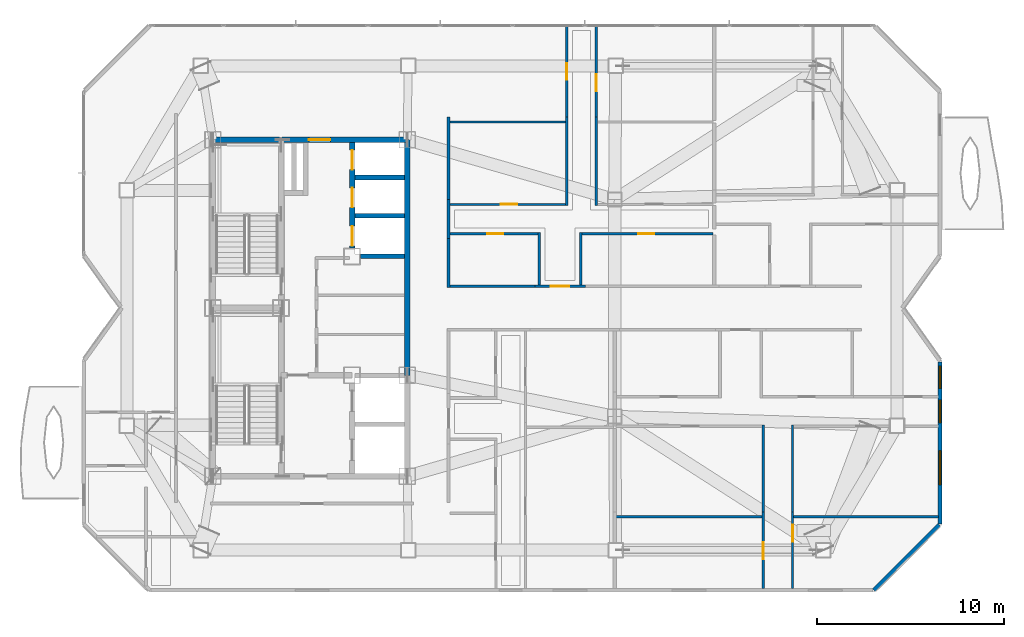
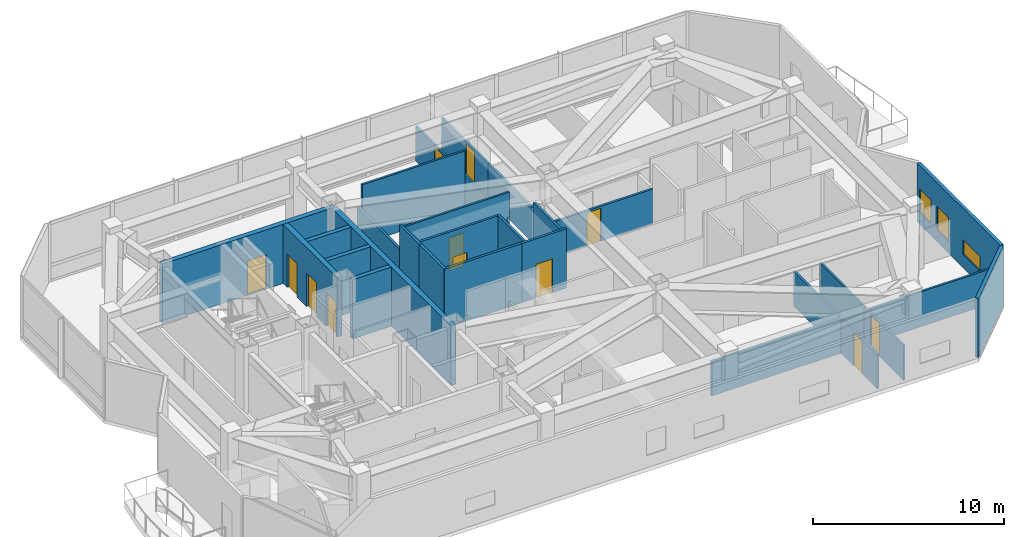
# One storey, part 11 of 16: 29 walls, 12 doors, 3 windows, 15 openings.
"""IFC4 building model written with IfcOpenShell, lengths in metres."""

from ifc_helpers import new_model, si_unit, direction, frame, frame_2d, origin, place, context, subcontext, project, spatial, rectangle, extrude, material, layer, layer_set, type_object, element, fill, save


model = new_model("IFC4")

# Units and contexts
model_context = context("Model", 3, precision=1e-05, world=origin(), true_north=direction((0.0, 1.0)))
body_context = subcontext(model_context, "Body", "Model", "MODEL_VIEW")
ifc_project = project(units=[si_unit("LENGTHUNIT", "METRE"), si_unit("AREAUNIT", "SQUARE_METRE"), si_unit("VOLUMEUNIT", "CUBIC_METRE"), si_unit("PLANEANGLEUNIT", "RADIAN"), si_unit("MASSUNIT", "GRAM", prefix="KILO")], contexts=[model_context])

# Site, building, storey
site_placement = place(None, origin())
site = spatial("IfcSite", under=ifc_project, at=site_placement, CompositionType="ELEMENT")
building_placement = place(site_placement, origin())
building = spatial("IfcBuilding", under=site, at=building_placement, Name="Khamvora Tower", CompositionType="ELEMENT")
storey_placement = place(building_placement, frame((0.0, 0.0, 273.64990234375)))
storey = spatial("IfcBuildingStorey", under=building, at=storey_placement, Name="L70", CompositionType="ELEMENT", Elevation=273.64990234375)

# Wall, opening, door
ifc_material_1 = material(Name="Concrete C50/60", Category="concrete")
ifc_layer_1 = layer(ifc_material_1, 0.300048828125)
ifc_layer_set_1 = layer_set([ifc_layer_1], Name="Concrete C50/60")
wall_type_1 = type_object("IfcWallType", Name="WAL-CORE-300", PredefinedType="SHEAR", material=ifc_layer_set_1)
wall_1_placement = place(storey_placement, frame((29.0, 37.0, 0.0), z_axis=(0.0, 0.0, 1.0), x_axis=(1.0, 0.0, 0.0)))
wall_1 = element("IfcWall", 1, at=wall_1_placement, inside=storey, type_object=wall_type_1, Name="L70 central core north wall", PredefinedType="SHEAR", context=body_context, shape_type="SweptSolid", body=[
    extrude(rectangle(XDim=10.39990234375, YDim=0.300048828125, at=frame_2d((5.199951171875, 0.0))), origin(), (0.0, 0.0, 1.0), 3.780029296875),
])
opening_1_placement = place(wall_1_placement, frame((5.139892578125, 0.0, 0.0)))
opening_1 = element("IfcOpeningElement", 2, at=opening_1_placement, cuts=wall_1, Name="Opening D-SC1", PredefinedType="OPENING", context=body_context, shape_type="SweptSolid", body=[
    extrude(rectangle(XDim=1.14990234375, YDim=2.199951171875, at=frame_2d((0.574951171875, 1.10009765625))), frame((0.0, 0.159912109375, 0.0), z_axis=(0.0, -1.0, 0.0), x_axis=(1.0, 0.0, 0.0)), (0.0, 0.0, 1.0), 0.320068359375),
])
ifc_material_2 = material(Name="Powder-Coated Steel and Hardwood Leaf", Category="steel")
door_type_1 = type_object("IfcDoorType", Name="DOR-SCHL-1150", OperationType="NOTDEFINED", PredefinedType="DOOR", material=ifc_material_2)
door_1_placement = place(opening_1_placement, origin())
door_1 = element("IfcDoor", 3, at=door_1_placement, inside=storey, type_object=door_type_1, Name="L70 north core lobby to corridor fire door", OperationType="SINGLE_SWING_RIGHT", OverallHeight=2.199951171875, OverallWidth=1.14990234375, PredefinedType="DOOR", context=body_context, shape_type="SweptSolid", body=[
    extrude(rectangle(XDim=1.14990234375, YDim=2.199951171875, at=frame_2d((0.574951171875, 1.10009765625))), frame((0.0, 0.02490234375, 0.0), z_axis=(0.0, -1.0, 0.0), x_axis=(1.0, 0.0, 0.0)), (0.0, 0.0, 1.0), 0.050048828125),
])
fill(opening_1, door_1)

# Wall
wall_2_placement = place(storey_placement, frame((39.39990234375, 24.39990234375, 0.0), z_axis=(0.0, 0.0, 1.0), x_axis=(0.0, 1.0, 0.0)))
element("IfcWall", 4, at=wall_2_placement, inside=storey, type_object=wall_type_1, Name="L70 central core east north wall", PredefinedType="SHEAR", context=body_context, shape_type="SweptSolid", body=[
    extrude(rectangle(XDim=12.60009765625, YDim=0.300048828125, at=frame_2d((6.300048828125, 0.0))), origin(), (0.0, 0.0, 1.0), 3.780029296875),
])

# Wall, openings, doors
wall_3_placement = place(storey_placement, frame((36.449951171875, 31.199951171875, 0.0), z_axis=(0.0, 0.0, 1.0), x_axis=(0.0, 1.0, 0.0)))
wall_3 = element("IfcWall", 5, at=wall_3_placement, inside=storey, type_object=wall_type_1, Name="L70 central core lift bank central wall", PredefinedType="SHEAR", context=body_context, shape_type="SweptSolid", body=[
    extrude(rectangle(XDim=5.64599609375, YDim=0.300048828125, at=frame_2d((2.822998046875, 0.0))), origin(), (0.0, 0.0, 1.0), 3.780029296875),
])
opening_2_placement = place(wall_3_placement, frame((0.125, 0.0, 0.0)))
opening_2 = element("IfcOpeningElement", 6, at=opening_2_placement, cuts=wall_3, Name="Opening LD-PL", PredefinedType="OPENING", context=body_context, shape_type="SweptSolid", body=[
    extrude(rectangle(XDim=1.050048828125, YDim=2.14990234375, at=frame_2d((0.52490234375, 1.074951171875))), frame((0.0, 0.159912109375, 0.0), z_axis=(0.0, -1.0, 0.0), x_axis=(1.0, 0.0, 0.0)), (0.0, 0.0, 1.0), 0.320068359375),
])
opening_3_placement = place(wall_3_placement, frame((2.175048828125, 0.0, 0.0)))
opening_3 = element("IfcOpeningElement", 7, at=opening_3_placement, cuts=wall_3, Name="Opening LD-PL", PredefinedType="OPENING", context=body_context, shape_type="SweptSolid", body=[
    extrude(rectangle(XDim=1.050048828125, YDim=2.14990234375, at=frame_2d((0.52490234375, 1.074951171875))), frame((0.0, 0.159912109375, 0.0), z_axis=(0.0, -1.0, 0.0), x_axis=(1.0, 0.0, 0.0)), (0.0, 0.0, 1.0), 0.320068359375),
])
opening_4_placement = place(wall_3_placement, frame((4.195068359375, 0.0, 0.0)))
opening_4 = element("IfcOpeningElement", 8, at=opening_4_placement, cuts=wall_3, Name="Opening LD-PL", PredefinedType="OPENING", context=body_context, shape_type="SweptSolid", body=[
    extrude(rectangle(XDim=1.050048828125, YDim=2.14990234375, at=frame_2d((0.52490234375, 1.074951171875))), frame((0.0, 0.159912109375, 0.0), z_axis=(0.0, -1.0, 0.0), x_axis=(1.0, 0.0, 0.0)), (0.0, 0.0, 1.0), 0.320068359375),
])
door_type_2 = type_object("IfcDoorType", Name="DOR-LIFT-1050", OperationType="SLIDING_TO_LEFT", PredefinedType="DOOR", material=ifc_material_2)
door_2_placement = place(opening_2_placement, origin())
door_2 = element("IfcDoor", 9, at=door_2_placement, inside=storey, type_object=door_type_2, Name="L70 lift landing sliding door PH-01", OperationType="SLIDING_TO_LEFT", OverallHeight=2.14990234375, OverallWidth=1.050048828125, PredefinedType="DOOR", context=body_context, shape_type="SweptSolid", body=[
    extrude(rectangle(XDim=1.050048828125, YDim=2.14990234375, at=frame_2d((0.52490234375, 1.074951171875))), frame((0.0, 0.02490234375, 0.0), z_axis=(0.0, -1.0, 0.0), x_axis=(1.0, 0.0, 0.0)), (0.0, 0.0, 1.0), 0.050048828125),
])
fill(opening_2, door_2)
door_3_placement = place(opening_3_placement, origin())
door_3 = element("IfcDoor", 10, at=door_3_placement, inside=storey, type_object=door_type_2, Name="L70 lift landing sliding door PH-02", OperationType="SLIDING_TO_LEFT", OverallHeight=2.14990234375, OverallWidth=1.050048828125, PredefinedType="DOOR", context=body_context, shape_type="SweptSolid", body=[
    extrude(rectangle(XDim=1.050048828125, YDim=2.14990234375, at=frame_2d((0.52490234375, 1.074951171875))), frame((0.0, 0.02490234375, 0.0), z_axis=(0.0, -1.0, 0.0), x_axis=(1.0, 0.0, 0.0)), (0.0, 0.0, 1.0), 0.050048828125),
])
fill(opening_3, door_3)
door_4_placement = place(opening_4_placement, origin())
door_4 = element("IfcDoor", 11, at=door_4_placement, inside=storey, type_object=door_type_2, Name="L70 lift landing sliding door PH-03", OperationType="SLIDING_TO_LEFT", OverallHeight=2.14990234375, OverallWidth=1.050048828125, PredefinedType="DOOR", context=body_context, shape_type="SweptSolid", body=[
    extrude(rectangle(XDim=1.050048828125, YDim=2.14990234375, at=frame_2d((0.52490234375, 1.074951171875))), frame((0.0, 0.02490234375, 0.0), z_axis=(0.0, -1.0, 0.0), x_axis=(1.0, 0.0, 0.0)), (0.0, 0.0, 1.0), 0.050048828125),
])
fill(opening_4, door_4)

# Wall, opening, door
ifc_material_3 = material(Name="Fire-Rated Drywall and Steel Stud", Category="steel")
ifc_layer_2 = layer(ifc_material_3, 0.14990234375)
ifc_layer_set_2 = layer_set([ifc_layer_2], Name="Fire-Rated Drywall and Steel Stud")
wall_type_2 = type_object("IfcWallType", Name="WAL-CORR-150", PredefinedType="STANDARD", material=ifc_layer_set_2)
wall_4_placement = place(storey_placement, frame((46.22509765625, 29.1650390625, 0.0), z_axis=(0.0, 0.0, 1.0), x_axis=(1.0, 0.0, 0.0)))
wall_4 = element("IfcWall", 12, at=wall_4_placement, inside=storey, type_object=wall_type_2, Name="L70 interior partition wall 020", PredefinedType="STANDARD", context=body_context, shape_type="SweptSolid", body=[
    extrude(rectangle(XDim=2.697998046875, YDim=0.14990234375, at=frame_2d((1.34912109375, 0.0))), origin(), (0.0, 0.0, 1.0), 3.780029296875),
])
opening_5_placement = place(wall_4_placement, frame((0.84912109375, 0.0, 0.0)))
opening_5 = element("IfcOpeningElement", 13, at=opening_5_placement, cuts=wall_4, Name="Opening D-U1", PredefinedType="OPENING", context=body_context, shape_type="SweptSolid", body=[
    extrude(rectangle(XDim=1.0, YDim=2.14990234375, at=frame_2d((0.5, 1.074951171875))), frame((0.0, 0.0849609375, 0.0), z_axis=(0.0, -1.0, 0.0), x_axis=(1.0, 0.0, 0.0)), (0.0, 0.0, 1.0), 0.169921875),
])
door_type_3 = type_object("IfcDoorType", Name="DOR-UNIT-1000", OperationType="NOTDEFINED", PredefinedType="DOOR", material=ifc_material_2)
door_5_placement = place(opening_5_placement, origin())
door_5 = element("IfcDoor", 14, at=door_5_placement, inside=storey, type_object=door_type_3, Name="L70 interior door COR-70E1H", OperationType="SINGLE_SWING_LEFT", OverallHeight=2.14990234375, OverallWidth=1.0, PredefinedType="DOOR", context=body_context, shape_type="SweptSolid", body=[
    extrude(rectangle(XDim=1.0, YDim=2.14990234375, at=frame_2d((0.5, 1.074951171875))), frame((0.0, 0.02490234375, 0.0), z_axis=(0.0, -1.0, 0.0), x_axis=(1.0, 0.0, 0.0)), (0.0, 0.0, 1.0), 0.050048828125),
])
fill(opening_5, door_5)

# Walls
wall_5_placement = place(storey_placement, frame((41.614990234375, 33.7890625, 0.0), z_axis=(0.0, 0.0, 1.0), x_axis=(0.0, -1.0, 0.0)))
element("IfcWall", 15, at=wall_5_placement, inside=storey, type_object=wall_type_2, Name="L70 interior partition wall 021", PredefinedType="STANDARD", context=body_context, shape_type="SweptSolid", body=[
    extrude(rectangle(XDim=2.078125, YDim=0.14990234375, at=frame_2d((1.0390625, 0.0))), origin(), (0.0, 0.0, 1.0), 3.780029296875),
])
wall_6_placement = place(storey_placement, frame((41.550048828125, 29.1650390625, 0.0), z_axis=(0.0, 0.0, 1.0), x_axis=(1.0, 0.0, 0.0)))
element("IfcWall", 16, at=wall_6_placement, inside=storey, type_object=wall_type_2, Name="L70 interior partition wall 022", PredefinedType="STANDARD", context=body_context, shape_type="SweptSolid", body=[
    extrude(rectangle(XDim=4.675048828125, YDim=0.14990234375, at=frame_2d((2.33740234375, 0.0))), origin(), (0.0, 0.0, 1.0), 3.780029296875),
])
wall_7_placement = place(storey_placement, frame((41.614990234375, 31.7109375, 0.0), z_axis=(0.0, 0.0, 1.0), x_axis=(0.0, -1.0, 0.0)))
element("IfcWall", 17, at=wall_7_placement, inside=storey, type_object=wall_type_2, Name="L70 interior partition wall 023", PredefinedType="STANDARD", context=body_context, shape_type="SweptSolid", body=[
    extrude(rectangle(XDim=2.60888671875, YDim=0.14990234375, at=frame_2d((1.304443359375, 0.0))), origin(), (0.0, 0.0, 1.0), 3.780029296875),
])
wall_8_placement = place(storey_placement, frame((41.614990234375, 38.2041015625, 0.0), z_axis=(0.0, 0.0, 1.0), x_axis=(0.0, -1.0, 0.0)))
element("IfcWall", 18, at=wall_8_placement, inside=storey, type_object=wall_type_2, Name="L70 interior partition wall 025", PredefinedType="STANDARD", context=body_context, shape_type="SweptSolid", body=[
    extrude(rectangle(XDim=4.4150390625, YDim=0.14990234375, at=frame_2d((2.20751953125, 0.0))), origin(), (0.0, 0.0, 1.0), 2.22021484375),
])

# Wall, openings, windows
ifc_material_4 = material(Name="Precast concrete C40/50", Category="concrete")
ifc_layer_3 = layer(ifc_material_4, 0.199951171875)
ifc_layer_set_3 = layer_set([ifc_layer_3], Name="Precast concrete C40/50")
wall_type_3 = type_object("IfcWallType", Name="WAL-EXT-200", PredefinedType="STANDARD", material=ifc_layer_set_3)
wall_9_placement = place(storey_placement, frame((67.89990234375, 25.117919921875, 0.0), z_axis=(0.0, 0.0, 1.0), x_axis=(0.0, -1.0, 0.0)))
wall_9 = element("IfcWall", 19, at=wall_9_placement, inside=storey, type_object=wall_type_3, Name="L70 exterior facade wall 12.1", PredefinedType="STANDARD", context=body_context, shape_type="SweptSolid", body=[
    extrude(rectangle(XDim=8.677001953125, YDim=0.199951171875, at=frame_2d((4.33837890625, 0.0))), origin(), (0.0, 0.0, 1.0), 3.780029296875),
])
opening_6_placement = place(wall_9_placement, frame((0.22412109375, 0.0, 0.780029296875)))
opening_6 = element("IfcOpeningElement", 20, at=opening_6_placement, cuts=wall_9, Name="Opening WN-03", PredefinedType="OPENING", context=body_context, shape_type="SweptSolid", body=[
    extrude(rectangle(XDim=1.199951171875, YDim=1.5, at=frame_2d((0.60009765625, 0.75))), frame((0.0, 0.10986328125, 0.0), z_axis=(0.0, -1.0, 0.0), x_axis=(1.0, 0.0, 0.0)), (0.0, 0.0, 1.0), 0.219970703125),
])
opening_7_placement = place(wall_9_placement, frame((2.052978515625, 0.0, 0.780029296875)))
opening_7 = element("IfcOpeningElement", 21, at=opening_7_placement, cuts=wall_9, Name="Opening WN-03", PredefinedType="OPENING", context=body_context, shape_type="SweptSolid", body=[
    extrude(rectangle(XDim=1.199951171875, YDim=1.5, at=frame_2d((0.60009765625, 0.75))), frame((0.0, 0.10986328125, 0.0), z_axis=(0.0, -1.0, 0.0), x_axis=(1.0, 0.0, 0.0)), (0.0, 0.0, 1.0), 0.219970703125),
])
opening_8_placement = place(wall_9_placement, frame((4.76806640625, 0.0, 0.85009765625)))
opening_8 = element("IfcOpeningElement", 22, at=opening_8_placement, cuts=wall_9, Name="Opening WN-09", PredefinedType="OPENING", context=body_context, shape_type="SweptSolid", body=[
    extrude(rectangle(XDim=1.800048828125, YDim=0.919921875, at=frame_2d((0.89990234375, 0.4599609375))), frame((0.0, 0.10986328125, 0.0), z_axis=(0.0, -1.0, 0.0), x_axis=(1.0, 0.0, 0.0)), (0.0, 0.0, 1.0), 0.219970703125),
])
ifc_material_5 = material(Name="Low-E Laminated Double Glazing", Category="glass")
window_type_1 = type_object("IfcWindowType", Name="WIN-CLR-1800x920", PartitioningType="SINGLE_PANEL", PredefinedType="WINDOW", material=ifc_material_5)
window_1_placement = place(opening_8_placement, origin())
window_1 = element("IfcWindow", 23, at=window_1_placement, inside=storey, type_object=window_type_1, Name="L70 vision window 12.1.03", OverallHeight=0.919921875, OverallWidth=1.800048828125, PartitioningType="SINGLE_PANEL", PredefinedType="WINDOW", context=body_context, shape_type="SweptSolid", body=[
    extrude(rectangle(XDim=1.800048828125, YDim=0.919921875, at=frame_2d((0.89990234375, 0.4599609375))), frame((0.0, 0.030029296875, 0.0), z_axis=(0.0, -1.0, 0.0), x_axis=(1.0, 0.0, 0.0)), (0.0, 0.0, 1.0), 0.06005859375),
])
fill(opening_8, window_1)
window_type_2 = type_object("IfcWindowType", Name="WIN-VIS-1200x1500", PartitioningType="SINGLE_PANEL", PredefinedType="WINDOW", material=ifc_material_5)
window_2_placement = place(opening_6_placement, origin())
window_2 = element("IfcWindow", 24, at=window_2_placement, inside=storey, type_object=window_type_2, Name="L70 vision window 12.1.01", OverallHeight=1.5, OverallWidth=1.199951171875, PartitioningType="SINGLE_PANEL", PredefinedType="WINDOW", context=body_context, shape_type="SweptSolid", body=[
    extrude(rectangle(XDim=1.199951171875, YDim=1.5, at=frame_2d((0.60009765625, 0.75))), frame((0.0, 0.030029296875, 0.0), z_axis=(0.0, -1.0, 0.0), x_axis=(1.0, 0.0, 0.0)), (0.0, 0.0, 1.0), 0.06005859375),
])
fill(opening_6, window_2)
window_3_placement = place(opening_7_placement, origin())
window_3 = element("IfcWindow", 25, at=window_3_placement, inside=storey, type_object=window_type_2, Name="L70 vision window 12.1.02", OverallHeight=1.5, OverallWidth=1.199951171875, PartitioningType="SINGLE_PANEL", PredefinedType="WINDOW", context=body_context, shape_type="SweptSolid", body=[
    extrude(rectangle(XDim=1.199951171875, YDim=1.5, at=frame_2d((0.60009765625, 0.75))), frame((0.0, 0.030029296875, 0.0), z_axis=(0.0, -1.0, 0.0), x_axis=(1.0, 0.0, 0.0)), (0.0, 0.0, 1.0), 0.06005859375),
])
fill(opening_7, window_3)

# Wall
wall_10_placement = place(storey_placement, frame((67.85498046875, 16.39599609375, 0.0), z_axis=(0.0, 0.0, 1.0), x_axis=(-0.707106781187, -0.707106781187, 0.0)))
element("IfcWall", 26, at=wall_10_placement, inside=storey, type_object=wall_type_3, Name="L70 exterior facade wall 13.1", PredefinedType="STANDARD", context=body_context, shape_type="SweptSolid", body=[
    extrude(rectangle(XDim=4.9443359375, YDim=0.199951171875, at=frame_2d((2.47216796875, 0.0))), origin(), (0.0, 0.0, 1.0), 3.780029296875),
])

# Wall, opening, door
ifc_material_6 = material(Name="Gypsum Plasterboard Partition", Category="gypsum")
ifc_layer_4 = layer(ifc_material_6, 0.1201171875)
ifc_layer_set_4 = layer_set([ifc_layer_4], Name="Gypsum Plasterboard Partition")
wall_type_4 = type_object("IfcWallType", Name="WAL-PART-120", PredefinedType="PARTITIONING", material=ifc_layer_set_4)
wall_11_placement = place(storey_placement, frame((58.445068359375, 12.991943359375, 0.0), z_axis=(0.0, 0.0, 1.0), x_axis=(0.0, 1.0, 0.0)))
wall_11 = element("IfcWall", 27, at=wall_11_placement, inside=storey, type_object=wall_type_4, Name="L70 interior partition wall 054", PredefinedType="PARTITIONING", context=body_context, shape_type="SweptSolid", body=[
    extrude(rectangle(XDim=4.0859375, YDim=0.1201171875, at=frame_2d((2.04296875, 0.0))), origin(), (0.0, 0.0, 1.0), 2.22021484375),
])
opening_9_placement = place(wall_11_placement, frame((1.572021484375, 0.0, 0.0)))
opening_9 = element("IfcOpeningElement", 28, at=opening_9_placement, cuts=wall_11, Name="Opening D-RM1", PredefinedType="OPENING", context=body_context, shape_type="SweptSolid", body=[
    extrude(rectangle(XDim=0.89990234375, YDim=2.10009765625, at=frame_2d((0.449951171875, 1.050048828125))), frame((0.0, 0.070068359375, 0.0), z_axis=(0.0, -1.0, 0.0), x_axis=(1.0, 0.0, 0.0)), (0.0, 0.0, 1.0), 0.14013671875),
])
door_type_4 = type_object("IfcDoorType", Name="DOR-ROOM-900", OperationType="NOTDEFINED", PredefinedType="DOOR", material=ifc_material_2)
door_6_placement = place(opening_9_placement, origin())
door_6 = element("IfcDoor", 29, at=door_6_placement, inside=storey, type_object=door_type_4, Name="L70 interior door 70DH-70DL", OperationType="SINGLE_SWING_RIGHT", OverallHeight=2.10009765625, OverallWidth=0.89990234375, PredefinedType="DOOR", context=body_context, shape_type="SweptSolid", body=[
    extrude(rectangle(XDim=0.89990234375, YDim=2.10009765625, at=frame_2d((0.449951171875, 1.050048828125))), frame((0.0, 0.02490234375, 0.0), z_axis=(0.0, -1.0, 0.0), x_axis=(1.0, 0.0, 0.0)), (0.0, 0.0, 1.0), 0.050048828125),
])
fill(opening_9, door_6)

# Wall
wall_12_placement = place(storey_placement, frame((58.445068359375, 17.077880859375, 0.0), z_axis=(0.0, 0.0, 1.0), x_axis=(0.0, 1.0, 0.0)))
element("IfcWall", 30, at=wall_12_placement, inside=storey, type_object=wall_type_4, Name="L70 interior partition wall 055", PredefinedType="PARTITIONING", context=body_context, shape_type="SweptSolid", body=[
    extrude(rectangle(XDim=4.662109375, YDim=0.1201171875, at=frame_2d((2.3310546875, 0.0))), origin(), (0.0, 0.0, 1.0), 2.22021484375),
])

# Wall, opening, door
wall_13_placement = place(storey_placement, frame((60.014892578125, 17.077880859375, 0.0), z_axis=(0.0, 0.0, 1.0), x_axis=(0.0, -1.0, 0.0)))
wall_13 = element("IfcWall", 31, at=wall_13_placement, inside=storey, type_object=wall_type_4, Name="L70 interior partition wall 057", PredefinedType="PARTITIONING", context=body_context, shape_type="SweptSolid", body=[
    extrude(rectangle(XDim=4.0859375, YDim=0.1201171875, at=frame_2d((2.04296875, 0.0))), origin(), (0.0, 0.0, 1.0), 2.22021484375),
])
opening_10_placement = place(wall_13_placement, frame((0.68701171875, 0.0, 0.0)))
opening_10 = element("IfcOpeningElement", 32, at=opening_10_placement, cuts=wall_13, Name="Opening D-RM1", PredefinedType="OPENING", context=body_context, shape_type="SweptSolid", body=[
    extrude(rectangle(XDim=0.89990234375, YDim=2.10009765625, at=frame_2d((0.449951171875, 1.050048828125))), frame((0.0, 0.070068359375, 0.0), z_axis=(0.0, -1.0, 0.0), x_axis=(1.0, 0.0, 0.0)), (0.0, 0.0, 1.0), 0.14013671875),
])
door_7_placement = place(opening_10_placement, origin())
door_7 = element("IfcDoor", 33, at=door_7_placement, inside=storey, type_object=door_type_4, Name="L70 interior door 70DH-70DR3", OperationType="SINGLE_SWING_LEFT", OverallHeight=2.10009765625, OverallWidth=0.89990234375, PredefinedType="DOOR", context=body_context, shape_type="SweptSolid", body=[
    extrude(rectangle(XDim=0.89990234375, YDim=2.10009765625, at=frame_2d((0.449951171875, 1.050048828125))), frame((0.0, 0.02490234375, 0.0), z_axis=(0.0, -1.0, 0.0), x_axis=(1.0, 0.0, 0.0)), (0.0, 0.0, 1.0), 0.050048828125),
])
fill(opening_10, door_7)

# Walls
wall_14_placement = place(storey_placement, frame((60.014892578125, 21.739990234375, 0.0), z_axis=(0.0, 0.0, 1.0), x_axis=(0.0, -1.0, 0.0)))
element("IfcWall", 34, at=wall_14_placement, inside=storey, type_object=wall_type_4, Name="L70 interior partition wall 059", PredefinedType="PARTITIONING", context=body_context, shape_type="SweptSolid", body=[
    extrude(rectangle(XDim=4.662109375, YDim=0.1201171875, at=frame_2d((2.3310546875, 0.0))), origin(), (0.0, 0.0, 1.0), 2.22021484375),
])
wall_15_placement = place(storey_placement, frame((50.576904296875, 16.8291015625, 0.0), z_axis=(0.0, 0.0, 1.0), x_axis=(1.0, 0.0, 0.0)))
element("IfcWall", 35, at=wall_15_placement, inside=storey, type_object=wall_type_4, Name="L70 interior partition wall 060", PredefinedType="PARTITIONING", context=body_context, shape_type="SweptSolid", body=[
    extrude(rectangle(XDim=7.814208984375, YDim=0.1201171875, at=frame_2d((3.9072265625, 0.0))), origin(), (0.0, 0.0, 1.0), 2.22021484375),
])
wall_16_placement = place(storey_placement, frame((60.069091796875, 16.8291015625, 0.0), z_axis=(0.0, 0.0, 1.0), x_axis=(1.0, 0.0, 0.0)))
element("IfcWall", 36, at=wall_16_placement, inside=storey, type_object=wall_type_4, Name="L70 interior partition wall 061", PredefinedType="PARTITIONING", context=body_context, shape_type="SweptSolid", body=[
    extrude(rectangle(XDim=7.739013671875, YDim=0.1201171875, at=frame_2d((3.86962890625, 0.0))), origin(), (0.0, 0.0, 1.0), 2.22021484375),
])
wall_17_placement = place(storey_placement, frame((47.93896484375, 33.47509765625, 0.0), z_axis=(0.0, 0.0, 1.0), x_axis=(0.0, 1.0, 0.0)))
element("IfcWall", 37, at=wall_17_placement, inside=storey, type_object=wall_type_4, Name="L70 interior partition wall 066", PredefinedType="PARTITIONING", context=body_context, shape_type="SweptSolid", body=[
    extrude(rectangle(XDim=4.72900390625, YDim=0.1201171875, at=frame_2d((2.364501953125, 0.0))), origin(), (0.0, 0.0, 1.0), 2.22021484375),
])

# Wall, opening, door
wall_18_placement = place(storey_placement, frame((41.681884765625, 33.5400390625, 0.0), z_axis=(0.0, 0.0, 1.0), x_axis=(1.0, 0.0, 0.0)))
wall_18 = element("IfcWall", 38, at=wall_18_placement, inside=storey, type_object=wall_type_4, Name="L70 interior partition wall 067", PredefinedType="PARTITIONING", context=body_context, shape_type="SweptSolid", body=[
    extrude(rectangle(XDim=6.322021484375, YDim=0.1201171875, at=frame_2d((3.1611328125, 0.0))), origin(), (0.0, 0.0, 1.0), 3.780029296875),
])
opening_11_placement = place(wall_18_placement, frame((2.7109375, 0.0, 0.0)))
opening_11 = element("IfcOpeningElement", 39, at=opening_11_placement, cuts=wall_18, Name="Opening D-RM1", PredefinedType="OPENING", context=body_context, shape_type="SweptSolid", body=[
    extrude(rectangle(XDim=0.89990234375, YDim=2.10009765625, at=frame_2d((0.449951171875, 1.050048828125))), frame((0.0, 0.070068359375, 0.0), z_axis=(0.0, -1.0, 0.0), x_axis=(1.0, 0.0, 0.0)), (0.0, 0.0, 1.0), 0.14013671875),
])
door_8_placement = place(opening_11_placement, origin())
door_8 = element("IfcDoor", 40, at=door_8_placement, inside=storey, type_object=door_type_4, Name="L70 interior door 70E1H-70E1L", OperationType="SINGLE_SWING_LEFT", OverallHeight=2.10009765625, OverallWidth=0.89990234375, PredefinedType="DOOR", context=body_context, shape_type="SweptSolid", body=[
    extrude(rectangle(XDim=0.89990234375, YDim=2.10009765625, at=frame_2d((0.449951171875, 1.050048828125))), frame((0.0, 0.02490234375, 0.0), z_axis=(0.0, -1.0, 0.0), x_axis=(1.0, 0.0, 0.0)), (0.0, 0.0, 1.0), 0.050048828125),
])
fill(opening_11, door_8)

wall_19_placement = place(storey_placement, frame((47.93896484375, 38.2041015625, 0.0), z_axis=(0.0, 0.0, 1.0), x_axis=(0.0, 1.0, 0.0)))
wall_19 = element("IfcWall", 41, at=wall_19_placement, inside=storey, type_object=wall_type_4, Name="L70 interior partition wall 068", PredefinedType="PARTITIONING", context=body_context, shape_type="SweptSolid", body=[
    extrude(rectangle(XDim=4.885986328125, YDim=0.1201171875, at=frame_2d((2.44287109375, 0.0))), origin(), (0.0, 0.0, 1.0), 2.22021484375),
])
opening_12_placement = place(wall_19_placement, frame((1.992919921875, 0.0, 0.0)))
opening_12 = element("IfcOpeningElement", 42, at=opening_12_placement, cuts=wall_19, Name="Opening D-RM1", PredefinedType="OPENING", context=body_context, shape_type="SweptSolid", body=[
    extrude(rectangle(XDim=0.89990234375, YDim=2.10009765625, at=frame_2d((0.449951171875, 1.050048828125))), frame((0.0, 0.070068359375, 0.0), z_axis=(0.0, -1.0, 0.0), x_axis=(1.0, 0.0, 0.0)), (0.0, 0.0, 1.0), 0.14013671875),
])
door_9_placement = place(opening_12_placement, origin())
door_9 = element("IfcDoor", 43, at=door_9_placement, inside=storey, type_object=door_type_4, Name="L70 interior door 70E1H-70E1R2", OperationType="SINGLE_SWING_RIGHT", OverallHeight=2.10009765625, OverallWidth=0.89990234375, PredefinedType="DOOR", context=body_context, shape_type="SweptSolid", body=[
    extrude(rectangle(XDim=0.89990234375, YDim=2.10009765625, at=frame_2d((0.449951171875, 1.050048828125))), frame((0.0, 0.02490234375, 0.0), z_axis=(0.0, -1.0, 0.0), x_axis=(1.0, 0.0, 0.0)), (0.0, 0.0, 1.0), 0.050048828125),
])
fill(opening_12, door_9)

# Wall
wall_20_placement = place(storey_placement, frame((49.509033203125, 38.2041015625, 0.0), z_axis=(0.0, 0.0, 1.0), x_axis=(0.0, -1.0, 0.0)))
element("IfcWall", 44, at=wall_20_placement, inside=storey, type_object=wall_type_4, Name="L70 interior partition wall 069", PredefinedType="PARTITIONING", context=body_context, shape_type="SweptSolid", body=[
    extrude(rectangle(XDim=4.72900390625, YDim=0.1201171875, at=frame_2d((2.364501953125, 0.0))), origin(), (0.0, 0.0, 1.0), 2.22021484375),
])

# Wall, opening, door
wall_21_placement = place(storey_placement, frame((49.509033203125, 43.090087890625, 0.0), z_axis=(0.0, 0.0, 1.0), x_axis=(0.0, -1.0, 0.0)))
wall_21 = element("IfcWall", 45, at=wall_21_placement, inside=storey, type_object=wall_type_4, Name="L70 interior partition wall 071", PredefinedType="PARTITIONING", context=body_context, shape_type="SweptSolid", body=[
    extrude(rectangle(XDim=4.885986328125, YDim=0.1201171875, at=frame_2d((2.44287109375, 0.0))), origin(), (0.0, 0.0, 1.0), 2.22021484375),
])
opening_13_placement = place(wall_21_placement, frame((2.5859375, 0.0, 0.0)))
opening_13 = element("IfcOpeningElement", 46, at=opening_13_placement, cuts=wall_21, Name="Opening D-RM1", PredefinedType="OPENING", context=body_context, shape_type="SweptSolid", body=[
    extrude(rectangle(XDim=0.89990234375, YDim=2.10009765625, at=frame_2d((0.449951171875, 1.050048828125))), frame((0.0, 0.070068359375, 0.0), z_axis=(0.0, -1.0, 0.0), x_axis=(1.0, 0.0, 0.0)), (0.0, 0.0, 1.0), 0.14013671875),
])
door_10_placement = place(opening_13_placement, origin())
door_10 = element("IfcDoor", 47, at=door_10_placement, inside=storey, type_object=door_type_4, Name="L70 interior door 70E1H-70E1R4", OperationType="SINGLE_SWING_RIGHT", OverallHeight=2.10009765625, OverallWidth=0.89990234375, PredefinedType="DOOR", context=body_context, shape_type="SweptSolid", body=[
    extrude(rectangle(XDim=0.89990234375, YDim=2.10009765625, at=frame_2d((0.449951171875, 1.050048828125))), frame((0.0, 0.02490234375, 0.0), z_axis=(0.0, -1.0, 0.0), x_axis=(1.0, 0.0, 0.0)), (0.0, 0.0, 1.0), 0.050048828125),
])
fill(opening_13, door_10)

# Walls
wall_22_placement = place(storey_placement, frame((41.681884765625, 37.955078125, 0.0), z_axis=(0.0, 0.0, 1.0), x_axis=(1.0, 0.0, 0.0)))
element("IfcWall", 48, at=wall_22_placement, inside=storey, type_object=wall_type_4, Name="L70 interior partition wall 074", PredefinedType="PARTITIONING", context=body_context, shape_type="SweptSolid", body=[
    extrude(rectangle(XDim=6.203125, YDim=0.1201171875, at=frame_2d((3.1015625, 0.0))), origin(), (0.0, 0.0, 1.0), 3.780029296875),
])
ifc_material_7 = material(Name="Concrete C40/50", Category="concrete")
ifc_layer_5 = layer(ifc_material_7, 0.25)
ifc_layer_set_5 = layer_set([ifc_layer_5], Name="Concrete C40/50")
wall_type_5 = type_object("IfcWallType", Name="WAL-PODS-250", PredefinedType="SHEAR", material=ifc_layer_set_5)
wall_23_placement = place(storey_placement, frame((36.904052734375, 30.77490234375, 0.0), z_axis=(0.0, 0.0, 1.0), x_axis=(1.0, 0.0, 0.0)))
element("IfcWall", 49, at=wall_23_placement, inside=storey, type_object=wall_type_5, Name="L70 high-rise lift shaft south enclosure wall PH-01", PredefinedType="SHEAR", context=body_context, shape_type="SweptSolid", body=[
    extrude(rectangle(XDim=2.342041015625, YDim=0.25, at=frame_2d((1.1708984375, 0.0))), origin(), (0.0, 0.0, 1.0), 3.780029296875),
])
for number, where, z_axis, x_axis, name in (
    (50, (36.60400390625, 32.925048828125, 0.0), (0.0, 0.0, 1.0), (1.0, 0.0, 0.0), "L70 lift shaft divider wall PH-01"),
    (51, (36.60400390625, 34.97509765625, 0.0), (0.0, 0.0, 1.0), (1.0, 0.0, 0.0), "L70 lift shaft divider wall PH-02"),
):
    element("IfcWall", number, at=place(storey_placement, frame(where, z_axis=z_axis, x_axis=x_axis)), inside=storey, type_object=wall_type_5, Name=name, PredefinedType="SHEAR", context=body_context, shape_type="SweptSolid", body=[
        extrude(rectangle(XDim=2.64208984375, YDim=0.25, at=frame_2d((1.321044921875, 0.0))), origin(), (0.0, 0.0, 1.0), 3.780029296875),
    ])
ifc_material_8 = material(Name="Moisture-Resistant Plasterboard Partition", Category="gypsum")
ifc_layer_6 = layer(ifc_material_8, 0.135009765625)
ifc_layer_set_6 = layer_set([ifc_layer_6], Name="Moisture-Resistant Plasterboard Partition")
wall_type_6 = type_object("IfcWallType", Name="WAL-WET-135", PredefinedType="PARTITIONING", material=ifc_layer_set_6)
wall_24_placement = place(storey_placement, frame((46.47412109375, 29.22998046875, 0.0), z_axis=(0.0, 0.0, 1.0), x_axis=(0.0, 1.0, 0.0)))
element("IfcWall", 52, at=wall_24_placement, inside=storey, type_object=wall_type_6, Name="L70 interior partition wall 062", PredefinedType="PARTITIONING", context=body_context, shape_type="SweptSolid", body=[
    extrude(rectangle(XDim=2.794921875, YDim=0.135009765625, at=frame_2d((1.3974609375, 0.0))), origin(), (0.0, 0.0, 1.0), 3.780029296875),
])

# Wall, opening, door
wall_25_placement = place(storey_placement, frame((46.5390625, 31.9599609375, 0.0), z_axis=(0.0, 0.0, 1.0), x_axis=(-1.0, 0.0, 0.0)))
wall_25 = element("IfcWall", 53, at=wall_25_placement, inside=storey, type_object=wall_type_6, Name="L70 interior partition wall 063", PredefinedType="PARTITIONING", context=body_context, shape_type="SweptSolid", body=[
    extrude(rectangle(XDim=4.857177734375, YDim=0.135009765625, at=frame_2d((2.4287109375, 0.0))), origin(), (0.0, 0.0, 1.0), 3.780029296875),
])
opening_14_placement = place(wall_25_placement, frame((2.00390625, 0.0, 0.0)))
opening_14 = element("IfcOpeningElement", 54, at=opening_14_placement, cuts=wall_25, Name="Opening D-WC1", PredefinedType="OPENING", context=body_context, shape_type="SweptSolid", body=[
    extrude(rectangle(XDim=0.85009765625, YDim=2.10009765625, at=frame_2d((0.425048828125, 1.050048828125))), frame((0.0, 0.077392578125, 0.0), z_axis=(0.0, -1.0, 0.0), x_axis=(1.0, 0.0, 0.0)), (0.0, 0.0, 1.0), 0.155029296875),
])
door_type_5 = type_object("IfcDoorType", Name="DOR-WET-850", OperationType="NOTDEFINED", PredefinedType="DOOR", material=ifc_material_2)
door_11_placement = place(opening_14_placement, origin())
door_11 = element("IfcDoor", 55, at=door_11_placement, inside=storey, type_object=door_type_5, Name="L70 interior door 70E1H-70E1B", OperationType="SINGLE_SWING_LEFT", OverallHeight=2.10009765625, OverallWidth=0.85009765625, PredefinedType="DOOR", context=body_context, shape_type="SweptSolid", body=[
    extrude(rectangle(XDim=0.85009765625, YDim=2.10009765625, at=frame_2d((0.425048828125, 1.050048828125))), frame((0.0, 0.02490234375, 0.0), z_axis=(0.0, -1.0, 0.0), x_axis=(1.0, 0.0, 0.0)), (0.0, 0.0, 1.0), 0.050048828125),
])
fill(opening_14, door_11)

wall_26_placement = place(storey_placement, frame((55.76806640625, 31.9599609375, 0.0), z_axis=(0.0, 0.0, 1.0), x_axis=(-1.0, 0.0, 0.0)))
wall_26 = element("IfcWall", 56, at=wall_26_placement, inside=storey, type_object=wall_type_6, Name="L70 interior partition wall 064", PredefinedType="PARTITIONING", context=body_context, shape_type="SweptSolid", body=[
    extrude(rectangle(XDim=7.1591796875, YDim=0.135009765625, at=frame_2d((3.57958984375, 0.0))), origin(), (0.0, 0.0, 1.0), 2.22021484375),
])
opening_15_placement = place(wall_26_placement, frame((3.155029296875, 0.0, 0.0)))
opening_15 = element("IfcOpeningElement", 57, at=opening_15_placement, cuts=wall_26, Name="Opening D-RM2", PredefinedType="OPENING", context=body_context, shape_type="SweptSolid", body=[
    extrude(rectangle(XDim=0.85009765625, YDim=2.10009765625, at=frame_2d((0.425048828125, 1.050048828125))), frame((0.0, 0.077392578125, 0.0), z_axis=(0.0, -1.0, 0.0), x_axis=(1.0, 0.0, 0.0)), (0.0, 0.0, 1.0), 0.155029296875),
])
door_type_6 = type_object("IfcDoorType", Name="DOR-ROOM-850", OperationType="NOTDEFINED", PredefinedType="DOOR", material=ifc_material_2)
door_12_placement = place(opening_15_placement, origin())
door_12 = element("IfcDoor", 58, at=door_12_placement, inside=storey, type_object=door_type_6, Name="L70 interior door 70E1H-70E1K", OperationType="SINGLE_SWING_RIGHT", OverallHeight=2.10009765625, OverallWidth=0.85009765625, PredefinedType="DOOR", context=body_context, shape_type="SweptSolid", body=[
    extrude(rectangle(XDim=0.85009765625, YDim=2.10009765625, at=frame_2d((0.425048828125, 1.050048828125))), frame((0.0, 0.02490234375, 0.0), z_axis=(0.0, -1.0, 0.0), x_axis=(1.0, 0.0, 0.0)), (0.0, 0.0, 1.0), 0.050048828125),
])
fill(opening_15, door_12)

# Wall
wall_27_placement = place(storey_placement, frame((48.674072265625, 32.02490234375, 0.0), z_axis=(0.0, 0.0, 1.0), x_axis=(0.0, -1.0, 0.0)))
element("IfcWall", 59, at=wall_27_placement, inside=storey, type_object=wall_type_6, Name="L70 interior partition wall 065", PredefinedType="PARTITIONING", context=body_context, shape_type="SweptSolid", body=[
    extrude(rectangle(XDim=2.794921875, YDim=0.135009765625, at=frame_2d((1.3974609375, 0.0))), origin(), (0.0, 0.0, 1.0), 3.780029296875),
])

save(model, "model.ifc")
